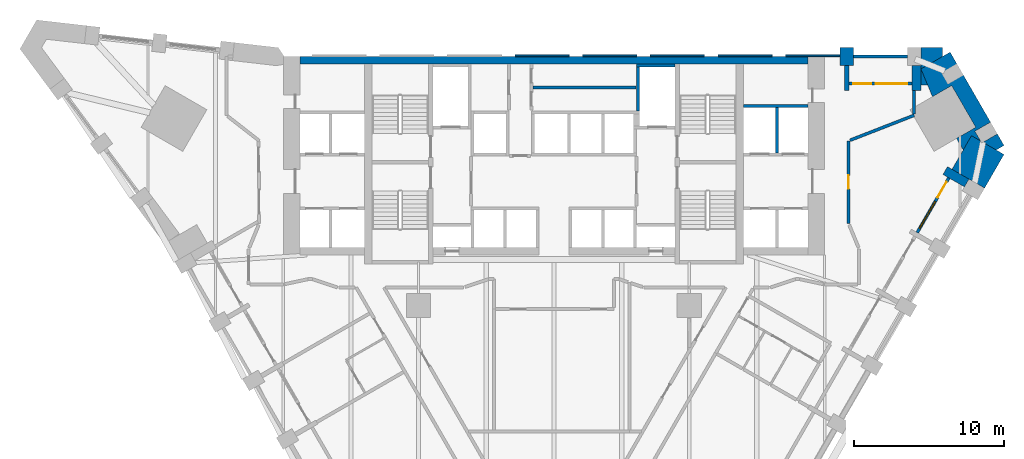
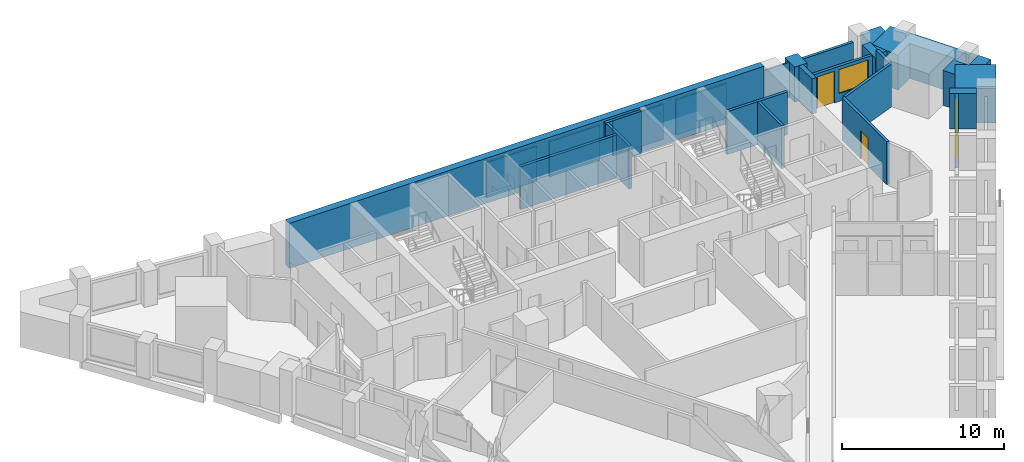
# One storey, part 8 of 10: 25 walls, 3 doors, 2 windows, 5 openings.
"""IFC4 building model written with IfcOpenShell, lengths in metres."""

from ifc_helpers import new_model, si_unit, direction, frame, frame_2d, origin, place, context, subcontext, project, spatial, polyline, rectangle, outline, extrude, material, layer, layer_set, type_object, element, fill, save


model = new_model("IFC4")

# Units and contexts
model_context = context("Model", 3, precision=1e-05, world=origin(), true_north=direction((0.0, 1.0)))
body_context = subcontext(model_context, "Body", "Model", "MODEL_VIEW")
ifc_project = project(units=[si_unit("LENGTHUNIT", "METRE"), si_unit("AREAUNIT", "SQUARE_METRE"), si_unit("VOLUMEUNIT", "CUBIC_METRE"), si_unit("PLANEANGLEUNIT", "RADIAN"), si_unit("MASSUNIT", "GRAM", prefix="KILO")], contexts=[model_context])

# Site, building, storey
site_placement = place(None, origin())
site = spatial("IfcSite", under=ifc_project, at=site_placement, CompositionType="ELEMENT")
building_placement = place(site_placement, origin())
building = spatial("IfcBuilding", under=site, at=building_placement, Name="Calabash Gate Tower", CompositionType="ELEMENT")
storey_placement = place(building_placement, frame((0.0, 0.0, 59.60009765625)))
storey = spatial("IfcBuildingStorey", under=building, at=storey_placement, Name="L10", CompositionType="ELEMENT", Elevation=59.60009765625)

# Walls
ifc_material_1 = material(Name="Terracotta brick masonry, exposed face", Category="masonry")
ifc_layer_1 = layer(ifc_material_1, 2.5)
ifc_layer_set_1 = layer_set([ifc_layer_1], Name="Brick corner mass wall 2500")
wall_type_1 = type_object("IfcWallType", Name="Brick corner mass wall 2500", PredefinedType="SOLIDWALL", material=ifc_layer_set_1)
wall_1_placement = place(storey_placement, origin())
element("IfcWall", 1, at=wall_1_placement, inside=storey, type_object=wall_type_1, Name="Brick corner pier S02 3a", PredefinedType="SOLIDWALL", context=body_context, shape_type="SweptSolid", body=[
    extrude(outline(polyline([(26.478759765625, 11.557373046875), (28.643798828125, 10.307373046875), (29.935302734375, 12.544189453125), (28.53076171875, 13.35498046875), (28.453369140625, 13.310302734375), (28.3759765625, 13.444580078125), (27.770263671875, 13.794189453125), (26.478759765625, 11.557373046875)])), origin(), (0.0, 0.0, 1.0), 2.6298828125),
])
wall_2_placement = place(storey_placement, origin())
element("IfcWall", 2, at=wall_2_placement, inside=storey, type_object=wall_type_1, Name="Brick corner pier S02 3b", PredefinedType="SOLIDWALL", context=body_context, shape_type="SweptSolid", body=[
    extrude(outline(polyline([(27.2216796875, 12.84423828125), (27.770263671875, 13.794189453125), (28.3759765625, 13.444580078125), (28.00341796875, 14.089599609375), (29.042724609375, 14.689697265625), (29.49267578125, 13.910400390625), (28.53076171875, 13.35498046875), (29.41552734375, 12.84423828125), (29.935302734375, 13.144287109375), (26.350830078125, 19.3525390625), (24.413818359375, 18.234375), (25.17724609375, 16.38525390625), (26.45458984375, 17.12255859375), (28.0546875, 14.351318359375), (26.77734375, 13.614013671875), (27.2216796875, 12.84423828125)])), origin(), (0.0, 0.0, 1.0), 2.6298828125),
])
wall_3_placement = place(storey_placement, origin())
element("IfcWall", 3, at=wall_3_placement, inside=storey, type_object=wall_type_1, Name="Brick corner pier S02 3ca", PredefinedType="SOLIDWALL", context=body_context, shape_type="SweptSolid", body=[
    extrude(outline(polyline([(24.413818359375, 17.152587890625), (24.860595703125, 17.152587890625), (24.413818359375, 18.234375), (24.413818359375, 17.152587890625)])), origin(), (0.0, 0.0, 1.0), 2.6298828125),
])
wall_4_placement = place(storey_placement, origin())
element("IfcWall", 4, at=wall_4_placement, inside=storey, type_object=wall_type_1, Name="Brick corner pier S02 3cb", PredefinedType="SOLIDWALL", context=body_context, shape_type="SweptSolid", body=[
    extrude(outline(polyline([(24.4140625, 19.652587890625), (24.4140625, 18.452880859375), (24.413818359375, 18.452880859375), (24.413818359375, 18.234375), (25.831298828125, 19.052490234375), (25.831298828125, 19.652587890625), (24.4140625, 19.652587890625)])), origin(), (0.0, 0.0, 1.0), 2.6298828125),
])
ifc_material_2 = material(Name="Terracotta brick masonry, exposed face", Category="masonry")
ifc_layer_2 = layer(ifc_material_2, 1.199951171875)
ifc_layer_set_2 = layer_set([ifc_layer_2], Name="Brick end wall 1200")
wall_type_2 = type_object("IfcWallType", Name="Brick end wall 1200", PredefinedType="SOLIDWALL", material=ifc_layer_set_2)
wall_5_placement = place(storey_placement, origin())
element("IfcWall", 5, at=wall_5_placement, inside=storey, type_object=wall_type_2, Name="Brick pier S02 N4.1", PredefinedType="SOLIDWALL", context=body_context, shape_type="SweptSolid", body=[
    extrude(outline(polyline([(19.913818359375, 19.652587890625), (19.013916015625, 19.652587890625), (19.013916015625, 18.45263671875), (19.913818359375, 18.45263671875), (19.913818359375, 19.652587890625)])), origin(), (0.0, 0.0, 1.0), 2.64990234375),
])
ifc_material_3 = material(Name="Terracotta brick masonry, exposed face", Category="masonry")
ifc_layer_3 = layer(ifc_material_3, 0.300048828125)
ifc_layer_set_3 = layer_set([ifc_layer_3], Name="Brick loggia cheek wall 300")
wall_type_3 = type_object("IfcWallType", Name="Brick loggia cheek wall 300", PredefinedType="SOLIDWALL", material=ifc_layer_set_3)
wall_6_placement = place(storey_placement, frame((27.454345703125, 10.647705078125, 0.0), z_axis=(0.0, 0.0, 1.0), x_axis=(-0.866003217194, 0.500038426333, 0.0)))
element("IfcWall", 6, at=wall_6_placement, inside=storey, type_object=wall_type_3, Name="Loggia cheek S02 SE2.10", PredefinedType="SOLIDWALL", context=body_context, shape_type="SweptSolid", body=[
    extrude(rectangle(XDim=1.649658203125, YDim=0.60009765625, at=frame_2d((0.82470703125, 0.0))), origin(), (0.0, 0.0, 1.0), 2.64990234375),
])
wall_7_placement = place(storey_placement, origin())
element("IfcWall", 7, at=wall_7_placement, inside=storey, type_object=wall_type_3, Name="Loggia cheek S02 N4.0", PredefinedType="SOLIDWALL", context=body_context, shape_type="SweptSolid", body=[
    extrude(outline(polyline([(24.413818359375, 16.802490234375), (24.413818359375, 18.45263671875), (23.81396484375, 18.45263671875), (23.81396484375, 16.802490234375), (24.413818359375, 16.802490234375)])), origin(), (0.0, 0.0, 1.0), 2.64990234375),
])
wall_8_placement = place(storey_placement, origin())
element("IfcWall", 8, at=wall_8_placement, inside=storey, type_object=wall_type_3, Name="Loggia cheek S02 N4.1", PredefinedType="SOLIDWALL", context=body_context, shape_type="SweptSolid", body=[
    extrude(outline(polyline([(19.31396484375, 18.45263671875), (19.31396484375, 16.802490234375), (19.614013671875, 16.802490234375), (19.614013671875, 18.45263671875), (19.31396484375, 18.45263671875)])), origin(), (0.0, 0.0, 1.0), 2.64990234375),
])
ifc_material_4 = material(Name="Concrete C80/95", Category="concrete")
ifc_layer_4 = layer(ifc_material_4, 0.5)
ifc_layer_set_4 = layer_set([ifc_layer_4], Name="Core wall 500 Concrete C80/95")
wall_type_4 = type_object("IfcWallType", Name="Core wall 500 Concrete C80/95", PredefinedType="SHEAR", material=ifc_layer_set_4)
wall_9_placement = place(storey_placement, frame((-16.89990234375, 18.802490234375, 0.0), z_axis=(0.0, 0.0, 1.0), x_axis=(1.0, 0.0, 0.0)))
element("IfcWall", 9, at=wall_9_placement, inside=storey, type_object=wall_type_4, Name="Core wall Z1-N L10", PredefinedType="SHEAR", context=body_context, shape_type="SweptSolid", body=[
    extrude(rectangle(XDim=33.7998046875, YDim=0.5, at=frame_2d((16.89990234375, 0.0))), origin(), (0.0, 0.0, 1.0), 3.39990234375),
])

# Wall, opening, door
ifc_material_5 = material(Name="Gypsum board on steel studs, mineral wool", Category="steel")
ifc_layer_5 = layer(ifc_material_5, 0.199951171875)
ifc_layer_set_5 = layer_set([ifc_layer_5], Name="Partition 200 gypsum board EI 60")
wall_type_5 = type_object("IfcWallType", Name="Partition 200 gypsum board EI 60", PredefinedType="PARTITIONING", material=ifc_layer_set_5)
wall_10_placement = place(storey_placement, frame((19.6005859375, 7.95263671875, 0.0), z_axis=(0.0, 0.0, 1.0), x_axis=(0.0, 1.0, 0.0)))
wall_10 = element("IfcWall", 10, at=wall_10_placement, inside=storey, type_object=wall_type_5, Name="Partition", PredefinedType="PARTITIONING", context=body_context, shape_type="SweptSolid", body=[
    extrude(rectangle(XDim=5.49951171875, YDim=0.199951171875, at=frame_2d((2.749755859375, 0.0))), origin(), (0.0, 0.0, 1.0), 3.22998046875),
])
opening_1_placement = place(wall_10_placement, frame((2.2998046875, 0.0, 0.0)))
opening_1 = element("IfcOpeningElement", 11, at=opening_1_placement, cuts=wall_10, Name="Opening 09-11-019", PredefinedType="OPENING", context=body_context, shape_type="SweptSolid", body=[
    extrude(rectangle(XDim=0.89990234375, YDim=2.10009765625, at=frame_2d((0.449951171875, 1.050048828125))), frame((0.0, 0.10986328125, 0.0), z_axis=(0.0, -1.0, 0.0), x_axis=(1.0, 0.0, 0.0)), (0.0, 0.0, 1.0), 0.219970703125),
])
ifc_material_6 = material(Name="Steel fire door set with fire-resisting glazing", Category="steel")
door_type_1 = type_object("IfcDoorType", Name="SD3 Store door 900x2100", OperationType="NOTDEFINED", PredefinedType="DOOR", material=ifc_material_6)
door_1_placement = place(opening_1_placement, origin())
door_1 = element("IfcDoor", 12, at=door_1_placement, inside=storey, type_object=door_type_1, Name="Store door", OperationType="SINGLE_SWING_RIGHT", OverallHeight=2.10009765625, OverallWidth=0.89990234375, PredefinedType="DOOR", context=body_context, shape_type="SweptSolid", body=[
    extrude(rectangle(XDim=0.89990234375, YDim=2.10009765625, at=frame_2d((0.449951171875, 1.050048828125))), frame((0.0, 0.02490234375, 0.0), z_axis=(0.0, -1.0, 0.0), x_axis=(1.0, 0.0, 0.0)), (0.0, 0.0, 1.0), 0.050048828125),
])
fill(opening_1, door_1)

# Walls
wall_11_placement = place(storey_placement, frame((19.693603515625, 13.488525390625, 0.0), z_axis=(0.0, 0.0, 1.0), x_axis=(0.931796580006, 0.36298089962, 0.0)))
element("IfcWall", 13, at=wall_11_placement, inside=storey, type_object=wall_type_5, Name="Partition", PredefinedType="PARTITIONING", context=body_context, shape_type="SweptSolid", body=[
    extrude(rectangle(XDim=4.5830078125, YDim=0.199951171875, at=frame_2d((2.29150390625, 0.0))), origin(), (0.0, 0.0, 1.0), 3.22998046875),
])
wall_12_placement = place(storey_placement, frame((23.964111328125, 15.252197265625, 0.0), z_axis=(0.0, 0.0, 1.0), x_axis=(0.000157480313, 0.9999999876, 0.0)))
element("IfcWall", 14, at=wall_12_placement, inside=storey, type_object=wall_type_5, Name="Partition", PredefinedType="PARTITIONING", context=body_context, shape_type="SweptSolid", body=[
    extrude(rectangle(XDim=1.55029296875, YDim=0.199951171875, at=frame_2d((0.775146484375, 0.0))), origin(), (0.0, 0.0, 1.0), 3.22998046875),
])
ifc_material_7 = material(Name="Concrete C40/50", Category="concrete")
ifc_layer_6 = layer(ifc_material_7, 0.199951171875)
ifc_layer_set_6 = layer_set([ifc_layer_6], Name="Shaft wall 200 Concrete C40/50")
wall_type_6 = type_object("IfcWallType", Name="Shaft wall 200 Concrete C40/50", PredefinedType="SOLIDWALL", material=ifc_layer_set_6)
wall_13_placement = place(storey_placement, frame((14.85009765625, 12.652587890625, 0.0), z_axis=(0.0, 0.0, 1.0), x_axis=(0.0, 1.0, 0.0)))
element("IfcWall", 15, at=wall_13_placement, inside=storey, type_object=wall_type_6, Name="Shaft wall", PredefinedType="SOLIDWALL", context=body_context, shape_type="SweptSolid", body=[
    extrude(rectangle(XDim=3.0, YDim=0.199951171875, at=frame_2d((1.5, 0.0))), origin(), (0.0, 0.0, 1.0), 3.22998046875),
])
wall_14_placement = place(storey_placement, frame((5.60009765625, 15.45263671875, 0.0), z_axis=(0.0, 0.0, 1.0), x_axis=(0.0, 1.0, 0.0)))
element("IfcWall", 16, at=wall_14_placement, inside=storey, type_object=wall_type_6, Name="Shaft wall", PredefinedType="SOLIDWALL", context=body_context, shape_type="SweptSolid", body=[
    extrude(rectangle(XDim=2.89990234375, YDim=0.199951171875, at=frame_2d((1.449951171875, 0.0))), origin(), (0.0, 0.0, 1.0), 3.22998046875),
])
wall_15_placement = place(storey_placement, frame((12.60009765625, 15.752685546875, 0.0), z_axis=(0.0, 0.0, 1.0), x_axis=(1.0, 0.0, 0.0)))
element("IfcWall", 17, at=wall_15_placement, inside=storey, type_object=wall_type_6, Name="Shaft wall", PredefinedType="SOLIDWALL", context=body_context, shape_type="SweptSolid", body=[
    extrude(rectangle(XDim=4.2998046875, YDim=0.199951171875, at=frame_2d((2.14990234375, 0.0))), origin(), (0.0, 0.0, 1.0), 3.22998046875),
])
wall_16_placement = place(storey_placement, frame((-1.39990234375, 17.002685546875, 0.0), z_axis=(0.0, 0.0, 1.0), x_axis=(1.0, 0.0, 0.0)))
element("IfcWall", 18, at=wall_16_placement, inside=storey, type_object=wall_type_6, Name="Shaft wall", PredefinedType="SOLIDWALL", context=body_context, shape_type="SweptSolid", body=[
    extrude(rectangle(XDim=6.849853515625, YDim=0.199951171875, at=frame_2d((3.4248046875, 0.0))), origin(), (0.0, 0.0, 1.0), 3.22998046875),
])
wall_17_placement = place(storey_placement, frame((5.5, 18.45263671875, 0.0), z_axis=(0.0, 0.0, 1.0), x_axis=(1.0, 0.0, 0.0)))
element("IfcWall", 19, at=wall_17_placement, inside=storey, type_object=wall_type_6, Name="Shaft wall", PredefinedType="SOLIDWALL", context=body_context, shape_type="SweptSolid", body=[
    extrude(rectangle(XDim=2.550048828125, YDim=0.199951171875, at=frame_2d((1.27490234375, 0.0))), origin(), (0.0, 0.0, 1.0), 3.22998046875),
])
ifc_material_8 = material(Name="Terracotta brick masonry, perforated", Category="masonry")
ifc_layer_7 = layer(ifc_material_8, 0.1201171875)
ifc_layer_set_7 = layer_set([ifc_layer_7], Name="Terracotta jaali cladding B 120")
wall_type_7 = type_object("IfcWallType", Name="Terracotta jaali cladding B 120", PredefinedType="SOLIDWALL", material=ifc_layer_set_7)
wall_18_placement = place(storey_placement, origin())
element("IfcWall", 20, at=wall_18_placement, inside=storey, type_object=wall_type_7, Name="Jaali cladding S02 N4.3", PredefinedType="SOLIDWALL", context=body_context, shape_type="SweptSolid", body=[
    extrude(outline(polyline([(10.913818359375, 19.172607421875), (10.913818359375, 19.052490234375), (14.513916015625, 19.052490234375), (14.513916015625, 19.172607421875), (10.913818359375, 19.172607421875)])), origin(), (0.0, 0.0, 1.0), 2.64990234375),
])
wall_19_placement = place(storey_placement, origin())
element("IfcWall", 21, at=wall_19_placement, inside=storey, type_object=wall_type_7, Name="Jaali cladding S02 N4.5", PredefinedType="SOLIDWALL", context=body_context, shape_type="SweptSolid", body=[
    extrude(outline(polyline([(1.913818359375, 19.172607421875), (1.913818359375, 19.052490234375), (5.513916015625, 19.052490234375), (5.513916015625, 19.172607421875), (1.913818359375, 19.172607421875)])), origin(), (0.0, 0.0, 1.0), 2.64990234375),
])
ifc_material_9 = material(Name="Terracotta brick masonry, perforated", Category="masonry")
ifc_layer_8 = layer(ifc_material_9, 0.199951171875)
ifc_layer_set_8 = layer_set([ifc_layer_8], Name="Terracotta jaali screen B")
wall_type_8 = type_object("IfcWallType", Name="Terracotta jaali screen B", PredefinedType="SOLIDWALL", material=ifc_layer_set_8)
wall_20_placement = place(storey_placement, frame((23.513916015625, 19.052490234375, 0.0), z_axis=(0.0, 0.0, 1.0), x_axis=(-1.0, 0.0, 0.0)))
element("IfcWall", 22, at=wall_20_placement, inside=storey, type_object=wall_type_8, Name="SCREEN B S02 N4.1", PredefinedType="SOLIDWALL", context=body_context, shape_type="SweptSolid", body=[
    extrude(rectangle(XDim=3.60009765625, YDim=0.199951171875, at=frame_2d((1.800048828125, 0.0))), origin(), (0.0, 0.0, 1.0), 2.64990234375),
])
ifc_material_10 = material(Name="Terracotta louvre blades in an aluminium frame", Category="masonry")
ifc_layer_9 = layer(ifc_material_10, 0.1201171875)
ifc_layer_set_9 = layer_set([ifc_layer_9], Name="Terracotta vent louvre cladding 120")
wall_type_9 = type_object("IfcWallType", Name="Terracotta vent louvre cladding 120", PredefinedType="ELEMENTEDWALL", material=ifc_layer_set_9)
wall_21_placement = place(storey_placement, origin())
element("IfcWall", 23, at=wall_21_placement, inside=storey, type_object=wall_type_9, Name="Vent louvre cladding S02 N4.2", PredefinedType="ELEMENTEDWALL", context=body_context, shape_type="SweptSolid", body=[
    extrude(outline(polyline([(15.413818359375, 19.172607421875), (15.413818359375, 19.052490234375), (19.013427734375, 19.052490234375), (19.013427734375, 19.172607421875), (15.413818359375, 19.172607421875)])), origin(), (0.0, 0.0, 1.0), 2.64990234375),
])
wall_22_placement = place(storey_placement, origin())
element("IfcWall", 24, at=wall_22_placement, inside=storey, type_object=wall_type_9, Name="Vent louvre cladding S02 N4.4", PredefinedType="ELEMENTEDWALL", context=body_context, shape_type="SweptSolid", body=[
    extrude(outline(polyline([(6.413818359375, 19.172607421875), (6.413818359375, 19.052490234375), (10.013916015625, 19.052490234375), (10.013916015625, 19.172607421875), (6.413818359375, 19.172607421875)])), origin(), (0.0, 0.0, 1.0), 2.64990234375),
])
wall_23_placement = place(storey_placement, origin())
element("IfcWall", 25, at=wall_23_placement, inside=storey, type_object=wall_type_9, Name="Vent louvre cladding S02 N4.6", PredefinedType="ELEMENTEDWALL", context=body_context, shape_type="SweptSolid", body=[
    extrude(outline(polyline([(-2.586181640625, 19.172607421875), (-2.586181640625, 19.052490234375), (1.013916015625, 19.052490234375), (1.013916015625, 19.172607421875), (-2.586181640625, 19.172607421875)])), origin(), (0.0, 0.0, 1.0), 2.64990234375),
])

# Wall, openings, door, window
ifc_material_11 = material(Name="Aluminium framed window wall with insulated spandrel", Category="aluminium")
ifc_layer_10 = layer(ifc_material_11, 0.199951171875)
ifc_layer_set_10 = layer_set([ifc_layer_10], Name="Window wall 200")
wall_type_10 = type_object("IfcWallType", Name="Window wall 200", PredefinedType="ELEMENTEDWALL", material=ifc_layer_set_10)
wall_24_placement = place(storey_placement, frame((24.165283203125, 7.350341796875, 0.0), z_axis=(0.0, 0.0, 1.0), x_axis=(0.500002543286, 0.866023935413, 0.0)))
wall_24 = element("IfcWall", 26, at=wall_24_placement, inside=storey, type_object=wall_type_10, Name="Window wall S02 SE2.10", PredefinedType="ELEMENTEDWALL", context=body_context, shape_type="SweptSolid", body=[
    extrude(rectangle(XDim=4.2001953125, YDim=0.199951171875, at=frame_2d((2.10009765625, 0.0))), origin(), (0.0, 0.0, 1.0), 2.64990234375),
])
opening_2_placement = place(wall_24_placement, frame((0.300048828125, 0.0, 0.60009765625)))
opening_2 = element("IfcOpeningElement", 27, at=opening_2_placement, cuts=wall_24, Name="Opening HW1", PredefinedType="OPENING", context=body_context, shape_type="SweptSolid", body=[
    extrude(rectangle(XDim=2.10009765625, YDim=1.800048828125, at=frame_2d((1.050048828125, 0.89990234375))), frame((0.0, 0.10986328125, 0.0), z_axis=(0.0, -1.0, 0.0), x_axis=(1.0, 0.0, 0.0)), (0.0, 0.0, 1.0), 0.219970703125),
])
opening_3_placement = place(wall_24_placement, frame((2.699951171875, 0.0, 0.0)))
opening_3 = element("IfcOpeningElement", 28, at=opening_3_placement, cuts=wall_24, Name="Opening H2-022", PredefinedType="OPENING", context=body_context, shape_type="SweptSolid", body=[
    extrude(rectangle(XDim=1.199951171875, YDim=2.39990234375, at=frame_2d((0.60009765625, 1.199951171875))), frame((0.0, 0.10986328125, 0.0), z_axis=(0.0, -1.0, 0.0), x_axis=(1.0, 0.0, 0.0)), (0.0, 0.0, 1.0), 0.219970703125),
])
ifc_material_12 = material(Name="Anodised aluminium frame, bronze finish, impact-rated laminated clear glazing", Category="aluminium")
door_type_2 = type_object("IfcDoorType", Name="Loggia door DH1 1200x2400", OperationType="SLIDING_TO_LEFT", PredefinedType="DOOR", material=ifc_material_12)
door_2_placement = place(opening_3_placement, origin())
door_2 = element("IfcDoor", 29, at=door_2_placement, inside=storey, type_object=door_type_2, Name="Loggia door S02 SE2.10", OperationType="SINGLE_SWING_LEFT", OverallHeight=2.39990234375, OverallWidth=1.199951171875, PredefinedType="DOOR", context=body_context, shape_type="SweptSolid", body=[
    extrude(rectangle(XDim=1.199951171875, YDim=2.39990234375, at=frame_2d((0.60009765625, 1.199951171875))), frame((0.0, 0.02490234375, 0.0), z_axis=(0.0, -1.0, 0.0), x_axis=(1.0, 0.0, 0.0)), (0.0, 0.0, 1.0), 0.050048828125),
])
fill(opening_3, door_2)
ifc_material_13 = material(Name="Anodised aluminium frame, bronze finish, impact-rated laminated clear glazing", Category="aluminium")
window_type = type_object("IfcWindowType", Name="Window HW1 2100x1800", PartitioningType="DOUBLE_PANEL_VERTICAL", PredefinedType="WINDOW", material=ifc_material_13)
window_1_placement = place(opening_2_placement, origin())
window_1 = element("IfcWindow", 30, at=window_1_placement, inside=storey, type_object=window_type, Name="Window HW1 S02 SE2.10", OverallHeight=1.800048828125, OverallWidth=2.10009765625, PartitioningType="SINGLE_PANEL", PredefinedType="WINDOW", context=body_context, shape_type="SweptSolid", body=[
    extrude(rectangle(XDim=2.10009765625, YDim=1.800048828125, at=frame_2d((1.050048828125, 0.89990234375))), frame((0.0, 0.030029296875, 0.0), z_axis=(0.0, -1.0, 0.0), x_axis=(1.0, 0.0, 0.0)), (0.0, 0.0, 1.0), 0.06005859375),
])
fill(opening_2, window_1)

wall_25_placement = place(storey_placement, frame((23.81396484375, 17.25244140625, 0.0), z_axis=(0.0, 0.0, 1.0), x_axis=(-1.0, 0.0, 0.0)))
wall_25 = element("IfcWall", 31, at=wall_25_placement, inside=storey, type_object=wall_type_10, Name="Window wall S02 N4.1", PredefinedType="ELEMENTEDWALL", context=body_context, shape_type="SweptSolid", body=[
    extrude(rectangle(XDim=4.199951171875, YDim=0.199951171875, at=frame_2d((2.10009765625, 0.0))), origin(), (0.0, 0.0, 1.0), 2.64990234375),
])
opening_4_placement = place(wall_25_placement, frame((0.300048828125, 0.0, 0.60009765625)))
opening_4 = element("IfcOpeningElement", 32, at=opening_4_placement, cuts=wall_25, Name="Opening HW1", PredefinedType="OPENING", context=body_context, shape_type="SweptSolid", body=[
    extrude(rectangle(XDim=2.10009765625, YDim=1.800048828125, at=frame_2d((1.050048828125, 0.89990234375))), frame((0.0, 0.10986328125, 0.0), z_axis=(0.0, -1.0, 0.0), x_axis=(1.0, 0.0, 0.0)), (0.0, 0.0, 1.0), 0.219970703125),
])
opening_5_placement = place(wall_25_placement, frame((2.699951171875, 0.0, 0.0)))
opening_5 = element("IfcOpeningElement", 33, at=opening_5_placement, cuts=wall_25, Name="Opening H2-017", PredefinedType="OPENING", context=body_context, shape_type="SweptSolid", body=[
    extrude(rectangle(XDim=1.199951171875, YDim=2.39990234375, at=frame_2d((0.60009765625, 1.199951171875))), frame((0.0, 0.10986328125, 0.0), z_axis=(0.0, -1.0, 0.0), x_axis=(1.0, 0.0, 0.0)), (0.0, 0.0, 1.0), 0.219970703125),
])
door_3_placement = place(opening_5_placement, origin())
door_3 = element("IfcDoor", 34, at=door_3_placement, inside=storey, type_object=door_type_2, Name="Loggia door S02 N4.1", OperationType="SINGLE_SWING_LEFT", OverallHeight=2.39990234375, OverallWidth=1.199951171875, PredefinedType="DOOR", context=body_context, shape_type="SweptSolid", body=[
    extrude(rectangle(XDim=1.199951171875, YDim=2.39990234375, at=frame_2d((0.60009765625, 1.199951171875))), frame((0.0, 0.02490234375, 0.0), z_axis=(0.0, -1.0, 0.0), x_axis=(1.0, 0.0, 0.0)), (0.0, 0.0, 1.0), 0.050048828125),
])
fill(opening_5, door_3)
window_2_placement = place(opening_4_placement, origin())
window_2 = element("IfcWindow", 35, at=window_2_placement, inside=storey, type_object=window_type, Name="Window HW1 S02 N4.1", OverallHeight=1.800048828125, OverallWidth=2.10009765625, PartitioningType="SINGLE_PANEL", PredefinedType="WINDOW", context=body_context, shape_type="SweptSolid", body=[
    extrude(rectangle(XDim=2.10009765625, YDim=1.800048828125, at=frame_2d((1.050048828125, 0.89990234375))), frame((0.0, 0.030029296875, 0.0), z_axis=(0.0, -1.0, 0.0), x_axis=(1.0, 0.0, 0.0)), (0.0, 0.0, 1.0), 0.06005859375),
])
fill(opening_4, window_2)

save(model, "model.ifc")
